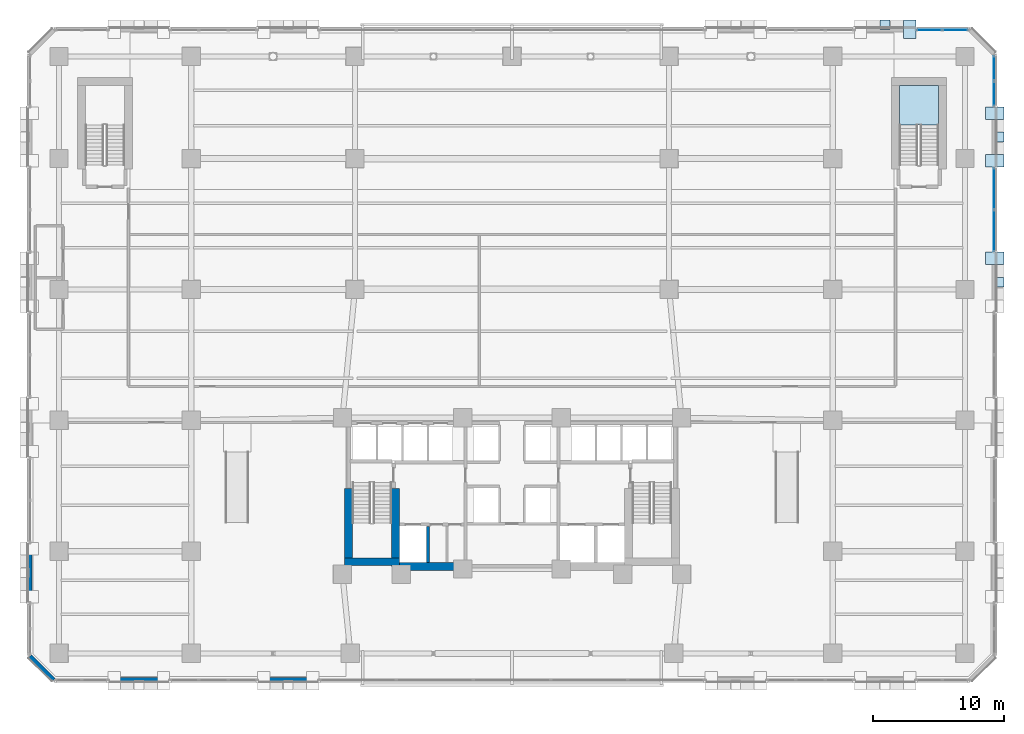
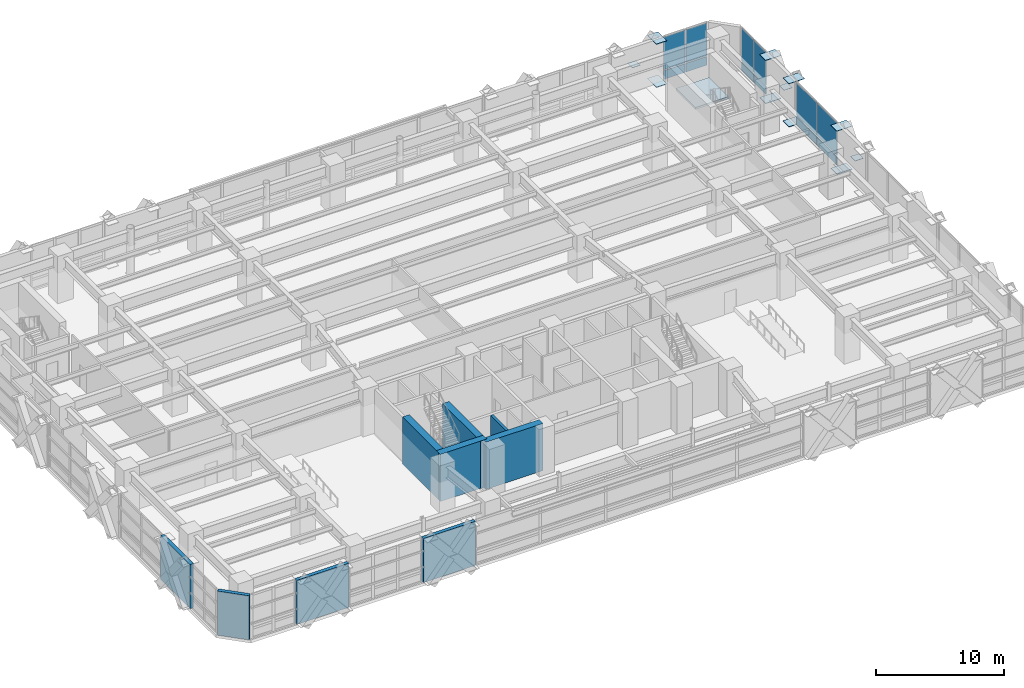
# One storey, part 16 of 30: 23 plates, 9 walls, 1 slab, 4 elements without a shape of their own.
"""IFC4 building model written with IfcOpenShell, lengths in metres."""

from ifc_helpers import new_model, si_unit, direction, frame, frame_2d, origin, origin_2d, place, context, subcontext, project, spatial, polyline, rectangle, outline, extrude, material, layer, layer_set, type_object, element, aggregate, save


model = new_model("IFC4")

# Units and contexts
model_context = context("Model", 3, precision=1e-05, world=origin(), true_north=direction((0.0, 1.0)))
body_context = subcontext(model_context, "Body", "Model", "MODEL_VIEW")
ifc_project = project(units=[si_unit("LENGTHUNIT", "METRE"), si_unit("AREAUNIT", "SQUARE_METRE"), si_unit("VOLUMEUNIT", "CUBIC_METRE"), si_unit("PLANEANGLEUNIT", "RADIAN"), si_unit("MASSUNIT", "GRAM", prefix="KILO")], contexts=[model_context])

# Site, building, storey
site_placement = place(None, origin())
site = spatial("IfcSite", under=ifc_project, at=site_placement, CompositionType="ELEMENT")
building_placement = place(site_placement, origin())
building = spatial("IfcBuilding", under=site, at=building_placement, Name="Quenlor Broadcast Tower", CompositionType="ELEMENT")
storey_placement = place(building_placement, frame((0.0, 0.0, 9.5)))
storey = spatial("IfcBuildingStorey", under=building, at=storey_placement, Name="L02", CompositionType="ELEMENT", Elevation=9.5)

# Curtain wall, plates
ifc_material_1 = material(Name="Architectural Terracotta and Low-E Glazing", Category="masonry")
curtain_wall_type = type_object("IfcCurtainWallType", Name="Station Concourse and Crown Terracotta Curtain Wall", PredefinedType="NOTDEFINED", material=ifc_material_1)
curtain_wall_1_placement = place(storey_placement, origin())
curtain_wall_1 = element("IfcCurtainWall", 1, at=curtain_wall_1_placement, inside=storey, type_object=curtain_wall_type, Name="L02 Curtain Wall CW6 (L02-N-FULL-G5)", PredefinedType="NOTDEFINED")
ifc_material_2 = material(Name="Double Glazed Low-E Solar Glass", Category="glass")
ifc_layer_1 = layer(ifc_material_2, 0.033935546875)
ifc_layer_set_1 = layer_set([ifc_layer_1], Name="CW6 Double Glazed Vision Panel 34")
plate_type_1 = type_object("IfcPlateType", Name="CW6 Double Glazed Vision Panel 34", PredefinedType="CURTAIN_PANEL", material=ifc_layer_set_1)
plate_1_placement = place(storey_placement, frame((31.882568359375, 24.820068359375, 0.08203125), z_axis=(0.0, 0.0, 1.0), x_axis=(1.0, 0.0, 0.0)))
plate_1 = element("IfcPlate", 2, at=plate_1_placement, type_object=plate_type_1, Name="CW6 panel 1.1", PredefinedType="CURTAIN_PANEL", context=body_context, shape_type="SweptSolid", body=[
    extrude(rectangle(XDim=1.90234375, YDim=0.033935546875, at=origin_2d()), origin(), (0.0, 0.0, 1.0), 0.826904296875),
])
plate_2_placement = place(storey_placement, frame((31.882568359375, 24.820068359375, 0.990966796875), z_axis=(0.0, 0.0, 1.0), x_axis=(1.0, 0.0, 0.0)))
plate_2 = element("IfcPlate", 3, at=plate_2_placement, type_object=plate_type_1, Name="CW6 panel 1.2", PredefinedType="CURTAIN_PANEL", context=body_context, shape_type="SweptSolid", body=[
    extrude(rectangle(XDim=1.90234375, YDim=0.033935546875, at=origin_2d()), origin(), (0.0, 0.0, 1.0), 3.126953125),
])
plate_3_placement = place(storey_placement, frame((33.866943359375, 24.820068359375, 0.08203125), z_axis=(0.0, 0.0, 1.0), x_axis=(1.0, 0.0, 0.0)))
plate_3 = element("IfcPlate", 4, at=plate_3_placement, type_object=plate_type_1, Name="CW6 panel 2.1", PredefinedType="CURTAIN_PANEL", context=body_context, shape_type="SweptSolid", body=[
    extrude(rectangle(XDim=1.90234375, YDim=0.033935546875, at=origin_2d()), origin(), (0.0, 0.0, 1.0), 0.826904296875),
])
plate_4_placement = place(storey_placement, frame((33.866943359375, 24.820068359375, 0.990966796875), z_axis=(0.0, 0.0, 1.0), x_axis=(1.0, 0.0, 0.0)))
plate_4 = element("IfcPlate", 5, at=plate_4_placement, type_object=plate_type_1, Name="CW6 panel 2.2", PredefinedType="CURTAIN_PANEL", context=body_context, shape_type="SweptSolid", body=[
    extrude(rectangle(XDim=1.90234375, YDim=0.033935546875, at=origin_2d()), origin(), (0.0, 0.0, 1.0), 3.126953125),
])
aggregate(curtain_wall_1, [plate_1, plate_2, plate_3, plate_4])

curtain_wall_2_placement = place(storey_placement, origin())
curtain_wall_2 = element("IfcCurtainWall", 6, at=curtain_wall_2_placement, inside=storey, type_object=curtain_wall_type, Name="L02 Curtain Wall CW6 (L02-E-FULL-G1)", PredefinedType="NOTDEFINED")
plate_5_placement = place(storey_placement, frame((36.820068359375, 21.892578125, 0.08203125), z_axis=(0.0, 0.0, 1.0), x_axis=(0.0, -1.0, 0.0)))
plate_5 = element("IfcPlate", 7, at=plate_5_placement, type_object=plate_type_1, Name="CW6 panel 1.1", PredefinedType="CURTAIN_PANEL", context=body_context, shape_type="SweptSolid", body=[
    extrude(rectangle(XDim=1.8505859375, YDim=0.033935546875, at=origin_2d()), origin(), (0.0, 0.0, 1.0), 0.826904296875),
])
plate_6_placement = place(storey_placement, frame((36.820068359375, 21.892578125, 0.990966796875), z_axis=(0.0, 0.0, 1.0), x_axis=(0.0, -1.0, 0.0)))
plate_6 = element("IfcPlate", 8, at=plate_6_placement, type_object=plate_type_1, Name="CW6 panel 1.2", PredefinedType="CURTAIN_PANEL", context=body_context, shape_type="SweptSolid", body=[
    extrude(rectangle(XDim=1.8505859375, YDim=0.033935546875, at=origin_2d()), origin(), (0.0, 0.0, 1.0), 3.126953125),
])
plate_7_placement = place(storey_placement, frame((36.820068359375, 19.9599609375, 0.08203125), z_axis=(0.0, 0.0, 1.0), x_axis=(0.0, -1.0, 0.0)))
plate_7 = element("IfcPlate", 9, at=plate_7_placement, type_object=plate_type_1, Name="CW6 panel 2.1", PredefinedType="CURTAIN_PANEL", context=body_context, shape_type="SweptSolid", body=[
    extrude(rectangle(XDim=1.8505859375, YDim=0.033935546875, at=origin_2d()), origin(), (0.0, 0.0, 1.0), 0.826904296875),
])
plate_8_placement = place(storey_placement, frame((36.820068359375, 19.9599609375, 0.990966796875), z_axis=(0.0, 0.0, 1.0), x_axis=(0.0, -1.0, 0.0)))
plate_8 = element("IfcPlate", 10, at=plate_8_placement, type_object=plate_type_1, Name="CW6 panel 2.2", PredefinedType="CURTAIN_PANEL", context=body_context, shape_type="SweptSolid", body=[
    extrude(rectangle(XDim=1.8505859375, YDim=0.033935546875, at=origin_2d()), origin(), (0.0, 0.0, 1.0), 3.126953125),
])
aggregate(curtain_wall_2, [plate_5, plate_6, plate_7, plate_8])

curtain_wall_3_placement = place(storey_placement, origin())
curtain_wall_3 = element("IfcCurtainWall", 11, at=curtain_wall_3_placement, inside=storey, type_object=curtain_wall_type, Name="L02 Curtain Wall CW6 (L02-E-FULL-G2)", PredefinedType="NOTDEFINED")
plate_9_placement = place(storey_placement, frame((36.820068359375, 12.703125, 0.08203125), z_axis=(0.0, 0.0, 1.0), x_axis=(0.0, -1.0, 0.0)))
plate_9 = element("IfcPlate", 12, at=plate_9_placement, type_object=plate_type_1, Name="CW6 panel 1.1", PredefinedType="CURTAIN_PANEL", context=body_context, shape_type="SweptSolid", body=[
    extrude(rectangle(XDim=3.124267578125, YDim=0.033935546875, at=origin_2d()), origin(), (0.0, 0.0, 1.0), 0.826904296875),
])
plate_10_placement = place(storey_placement, frame((36.820068359375, 12.703125, 0.990966796875), z_axis=(0.0, 0.0, 1.0), x_axis=(0.0, -1.0, 0.0)))
plate_10 = element("IfcPlate", 13, at=plate_10_placement, type_object=plate_type_1, Name="CW6 panel 1.2", PredefinedType="CURTAIN_PANEL", context=body_context, shape_type="SweptSolid", body=[
    extrude(rectangle(XDim=3.124267578125, YDim=0.033935546875, at=origin_2d()), origin(), (0.0, 0.0, 1.0), 3.126953125),
])
plate_11_placement = place(storey_placement, frame((36.820068359375, 9.496826171875, 0.08203125), z_axis=(0.0, 0.0, 1.0), x_axis=(0.0, -1.0, 0.0)))
plate_11 = element("IfcPlate", 14, at=plate_11_placement, type_object=plate_type_1, Name="CW6 panel 2.1", PredefinedType="CURTAIN_PANEL", context=body_context, shape_type="SweptSolid", body=[
    extrude(rectangle(XDim=3.124267578125, YDim=0.033935546875, at=origin_2d()), origin(), (0.0, 0.0, 1.0), 0.826904296875),
])
plate_12_placement = place(storey_placement, frame((36.820068359375, 9.496826171875, 0.990966796875), z_axis=(0.0, 0.0, 1.0), x_axis=(0.0, -1.0, 0.0)))
plate_12 = element("IfcPlate", 15, at=plate_12_placement, type_object=plate_type_1, Name="CW6 panel 2.2", PredefinedType="CURTAIN_PANEL", context=body_context, shape_type="SweptSolid", body=[
    extrude(rectangle(XDim=3.124267578125, YDim=0.033935546875, at=origin_2d()), origin(), (0.0, 0.0, 1.0), 3.126953125),
])
aggregate(curtain_wall_3, [plate_9, plate_10, plate_11, plate_12])

# Plates
ifc_material_3 = material(Name="Steel S355", Category="steel")
ifc_layer_2 = layer(ifc_material_3, 0.028076171875)
ifc_layer_set_2 = layer_set([ifc_layer_2], Name="Perimeter Lattice Node Steel S355 Cap Plate 740x740x28")
plate_type_2 = type_object("IfcPlateType", Name="Perimeter Lattice Node Steel S355 Cap Plate 740x740x28", PredefinedType="USERDEFINED", material=ifc_layer_set_2)
for number, where, z_axis, x_axis, name in (
    (16, (28.5, 25.215087890625, 2.11572265625), (0.0, 0.0, 1.0), (1.0, 0.0, 0.0), "L02 Podium Diamond Crossing Node N-C6"),
    (17, (37.215087890625, 16.64990234375, 2.11572265625), (0.0, 0.0, 1.0), (0.0, -1.0, 0.0), "L02 Podium Diamond Crossing Node E-C1"),
    (18, (37.215087890625, 5.550048828125, 2.11572265625), (0.0, 0.0, 1.0), (0.0, -1.0, 0.0), "L02 Podium Diamond Crossing Node E-C2"),
):
    element("IfcPlate", number, at=place(storey_placement, frame(where, z_axis=z_axis, x_axis=x_axis)), inside=storey, type_object=plate_type_2, Name=name, ObjectType="CAP PLATE", PredefinedType="USERDEFINED", context=body_context, shape_type="SweptSolid", body=[
        extrude(rectangle(XDim=0.739990234375, YDim=0.739990234375, at=origin_2d()), origin(), (0.0, 0.0, 1.0), 0.028076171875),
    ])

# Stair, slab
ifc_material_4 = material(Name="Precast concrete C40/50", Category="concrete")
stair_type = type_object("IfcStairType", Name="Precast Concrete C40/50 Dogleg Stair H450", PredefinedType="HALF_TURN_STAIR", material=ifc_material_4)
stair_placement = place(storey_placement, origin())
stair = element("IfcStair", 19, at=stair_placement, inside=storey, type_object=stair_type, Name="L02 Station Podium North-East Exit Stair ST-4", PredefinedType="HALF_TURN_STAIR")
ifc_material_5 = material(Name="Precast concrete C40/50", Category="concrete")
ifc_layer_3 = layer(ifc_material_5, 0.199951171875)
ifc_layer_set_3 = layer_set([ifc_layer_3], Name="Precast Concrete C40/50 Stair Landing Slab 200")
slab_type = type_object("IfcSlabType", Name="Precast Concrete C40/50 Stair Landing Slab 200", PredefinedType="LANDING", material=ifc_layer_set_3)
slab_placement = place(storey_placement, frame((0.0, 0.0, 2.050048828125)))
slab = element("IfcSlab", 20, at=slab_placement, type_object=slab_type, Name="ST-4 landing 1", PredefinedType="LANDING", context=body_context, shape_type="SweptSolid", body=[
    extrude(outline(polyline([(32.60009765625, 17.580078125), (32.60009765625, 20.60009765625), (29.60009765625, 20.60009765625), (29.60009765625, 17.580078125), (32.60009765625, 17.580078125)])), origin(), (0.0, 0.0, 1.0), 0.199951171875),
])
aggregate(stair, [slab])

# Plates
ifc_material_6 = material(Name="Steel S355", Category="steel")
ifc_layer_4 = layer(ifc_material_6, 0.035888671875)
ifc_layer_set_4 = layer_set([ifc_layer_4], Name="Transfer Truss Steel S355 Gusset Node Plate 1400x950x36")
plate_type_3 = type_object("IfcPlateType", Name="Transfer Truss Steel S355 Gusset Node Plate 1400x950x36", PredefinedType="SHEET", material=ifc_layer_set_4)
for number, where, z_axis, x_axis, name in (
    (21, (30.377197265625, 24.8798828125, 4.14208984375), (0.0, 0.0, 1.0), (0.0, 1.0, 0.0), "L02 Podium Lattice Tie Gusset N-T17"),
    (22, (30.377197265625, 24.8798828125, 0.0419921875), (0.0, 0.0, 1.0), (0.0, 1.0, 0.0), "L02 Podium Lattice Tie Gusset N-B17"),
    (23, (36.8798828125, 18.477783203125, 0.0419921875), (0.0, 0.0, 1.0), (1.0, 0.0, 0.0), "L02 Podium Lattice Tie Gusset E-B1"),
    (24, (36.8798828125, 14.822265625, 4.14208984375), (0.0, 0.0, 1.0), (1.0, 0.0, 0.0), "L02 Podium Lattice Tie Gusset E-T2"),
    (25, (36.8798828125, 14.822265625, 0.0419921875), (0.0, 0.0, 1.0), (1.0, 0.0, 0.0), "L02 Podium Lattice Tie Gusset E-B2"),
    (26, (36.8798828125, 18.477783203125, 4.14208984375), (0.0, 0.0, 1.0), (1.0, 0.0, 0.0), "L02 Podium Lattice Tie Gusset E-T1"),
    (27, (36.8798828125, 7.377685546875, 0.0419921875), (0.0, 0.0, 1.0), (1.0, 0.0, 0.0), "L02 Podium Lattice Tie Gusset E-B4"),
    (28, (36.8798828125, 7.377685546875, 4.14208984375), (0.0, 0.0, 1.0), (1.0, 0.0, 0.0), "L02 Podium Lattice Tie Gusset E-T4"),
):
    element("IfcPlate", number, at=place(storey_placement, frame(where, z_axis=z_axis, x_axis=x_axis)), inside=storey, type_object=plate_type_3, Name=name, PredefinedType="SHEET", context=body_context, shape_type="SweptSolid", body=[
        extrude(rectangle(XDim=1.39990234375, YDim=0.949951171875, at=origin_2d()), origin(), (0.0, 0.0, 1.0), 0.035888671875),
    ])

# Walls
ifc_material_7 = material(Name="Concrete C65/80", Category="concrete")
ifc_layer_5 = layer(ifc_material_7, 0.60009765625)
ifc_layer_set_5 = layer_set([ifc_layer_5], Name="Core Concrete C65/80 Shear Wall 600")
wall_type_1 = type_object("IfcWallType", Name="Core Concrete C65/80 Shear Wall 600", PredefinedType="SHEAR", material=ifc_layer_set_5)
wall_1_placement = place(storey_placement, frame((-12.800048828125, -15.800048828125, 0.0), z_axis=(0.0, 0.0, 1.0), x_axis=(1.0, 0.0, 0.0)))
element("IfcWall", 29, at=wall_1_placement, inside=storey, type_object=wall_type_1, Name="L02 Core Shear Wall WS-W1", PredefinedType="SHEAR", context=body_context, shape_type="SweptSolid", body=[
    extrude(rectangle(XDim=4.199951171875, YDim=0.60009765625, at=frame_2d((2.10009765625, 0.0))), origin(), (0.0, 0.0, 1.0), 4.5),
])
wall_2_placement = place(storey_placement, frame((-8.89990234375, -16.14990234375, 0.0), z_axis=(0.0, 0.0, 1.0), x_axis=(1.0, 0.0, 0.0)))
element("IfcWall", 30, at=wall_2_placement, inside=storey, type_object=wall_type_1, Name="L02 Core Shear Wall WS-W2", PredefinedType="SHEAR", context=body_context, shape_type="SweptSolid", body=[
    extrude(rectangle(XDim=5.14990234375, YDim=0.60009765625, at=frame_2d((2.574951171875, 0.0))), origin(), (0.0, 0.0, 1.0), 4.5),
])
wall_3_placement = place(storey_placement, frame((-12.5, -15.800048828125, 0.0), z_axis=(0.0, 0.0, 1.0), x_axis=(0.0, 1.0, 0.0)))
element("IfcWall", 31, at=wall_3_placement, inside=storey, type_object=wall_type_1, Name="L02 Core Shear Wall WF-W", PredefinedType="SHEAR", context=body_context, shape_type="SweptSolid", body=[
    extrude(rectangle(XDim=5.60009765625, YDim=0.60009765625, at=frame_2d((2.800048828125, 0.0))), origin(), (0.0, 0.0, 1.0), 4.5),
])
wall_4_placement = place(storey_placement, frame((-8.89990234375, -16.14990234375, 0.0), z_axis=(0.0, 0.0, 1.0), x_axis=(0.0, 1.0, 0.0)))
element("IfcWall", 32, at=wall_4_placement, inside=storey, type_object=wall_type_1, Name="L02 Core Shear Wall WI-W", PredefinedType="SHEAR", context=body_context, shape_type="SweptSolid", body=[
    extrude(rectangle(XDim=5.949951171875, YDim=0.60009765625, at=frame_2d((2.97509765625, 0.0))), origin(), (0.0, 0.0, 1.0), 4.5),
])
ifc_material_8 = material(Name="Concrete C40/50", Category="concrete")
ifc_layer_6 = layer(ifc_material_8, 0.25)
ifc_layer_set_6 = layer_set([ifc_layer_6], Name="Fire Rated Concrete C40/50 Core Wall 250")
wall_type_2 = type_object("IfcWallType", Name="Fire Rated Concrete C40/50 Core Wall 250", PredefinedType="PARTITIONING", material=ifc_layer_set_6)
wall_5_placement = place(storey_placement, frame((-6.419921875, -15.847900390625, 0.0), z_axis=(0.0, 0.0, 1.0), x_axis=(0.0, 1.0, 0.0)))
element("IfcWall", 33, at=wall_5_placement, inside=storey, type_object=wall_type_2, Name="L02 Interior Wall CW-FF1-E", PredefinedType="PARTITIONING", context=body_context, shape_type="SweptSolid", body=[
    extrude(rectangle(XDim=2.7578125, YDim=0.25, at=frame_2d((1.37890625, 0.0))), origin(), (0.0, 0.0, 1.0), 4.199951171875),
])
ifc_material_9 = material(Name="Precast concrete C40/50", Category="concrete")
ifc_layer_7 = layer(ifc_material_9, 0.320068359375)
ifc_layer_set_7 = layer_set([ifc_layer_7], Name="Station Podium Precast Concrete C40/50 Facade Wall 320")
wall_type_3 = type_object("IfcWallType", Name="Station Podium Precast Concrete C40/50 Facade Wall 320", PredefinedType="STANDARD", material=ifc_layer_set_7)
wall_6_placement = place(storey_placement, frame((-14.75048828125, -24.820068359375, 0.0), z_axis=(0.0, 0.0, 1.0), x_axis=(-1.0, 0.0, 0.0)))
element("IfcWall", 34, at=wall_6_placement, inside=storey, type_object=wall_type_3, Name="L02 Exterior Wall L02-S-FULL-SP3", PredefinedType="STANDARD", context=body_context, shape_type="SweptSolid", body=[
    extrude(rectangle(XDim=4.698974609375, YDim=0.320068359375, at=frame_2d((2.349609375, 0.0))), origin(), (0.0, 0.0, 1.0), 4.199951171875),
])
wall_7_placement = place(storey_placement, frame((-26.150390625, -24.820068359375, 0.0), z_axis=(0.0, 0.0, 1.0), x_axis=(-1.0, 0.0, 0.0)))
element("IfcWall", 35, at=wall_7_placement, inside=storey, type_object=wall_type_3, Name="L02 Exterior Wall L02-S-FULL-SP4", PredefinedType="STANDARD", context=body_context, shape_type="SweptSolid", body=[
    extrude(rectangle(XDim=4.69921875, YDim=0.320068359375, at=frame_2d((2.349609375, 0.0))), origin(), (0.0, 0.0, 1.0), 4.199951171875),
])
wall_8_placement = place(storey_placement, frame((-36.820068359375, -18.95263671875, 0.0), z_axis=(0.0, 0.0, 1.0), x_axis=(0.0, 1.0, 0.0)))
element("IfcWall", 36, at=wall_8_placement, inside=storey, type_object=wall_type_3, Name="L02 Exterior Wall L02-W-FULL-SP1", PredefinedType="STANDARD", context=body_context, shape_type="SweptSolid", body=[
    extrude(rectangle(XDim=4.605224609375, YDim=0.320068359375, at=frame_2d((2.302734375, 0.0))), origin(), (0.0, 0.0, 1.0), 4.199951171875),
])
wall_9_placement = place(storey_placement, frame((-35.0, -24.820068359375, 0.0), z_axis=(0.0, 0.0, 1.0), x_axis=(-0.707106781187, 0.707106781187, 0.0)))
element("IfcWall", 37, at=wall_9_placement, inside=storey, type_object=wall_type_3, Name="L02 Exterior Wall L02-EW-CSW", PredefinedType="STANDARD", context=body_context, shape_type="SweptSolid", body=[
    extrude(rectangle(XDim=2.573974609375, YDim=0.320068359375, at=frame_2d((1.287109375, 0.0))), origin(), (0.0, 0.0, 1.0), 4.199951171875),
])

save(model, "model.ifc")
